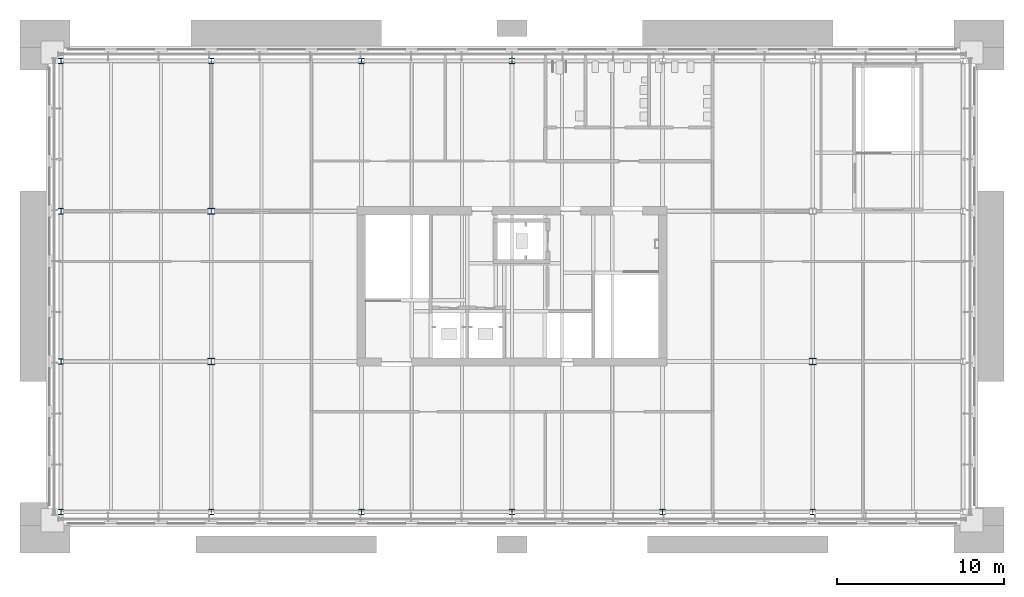
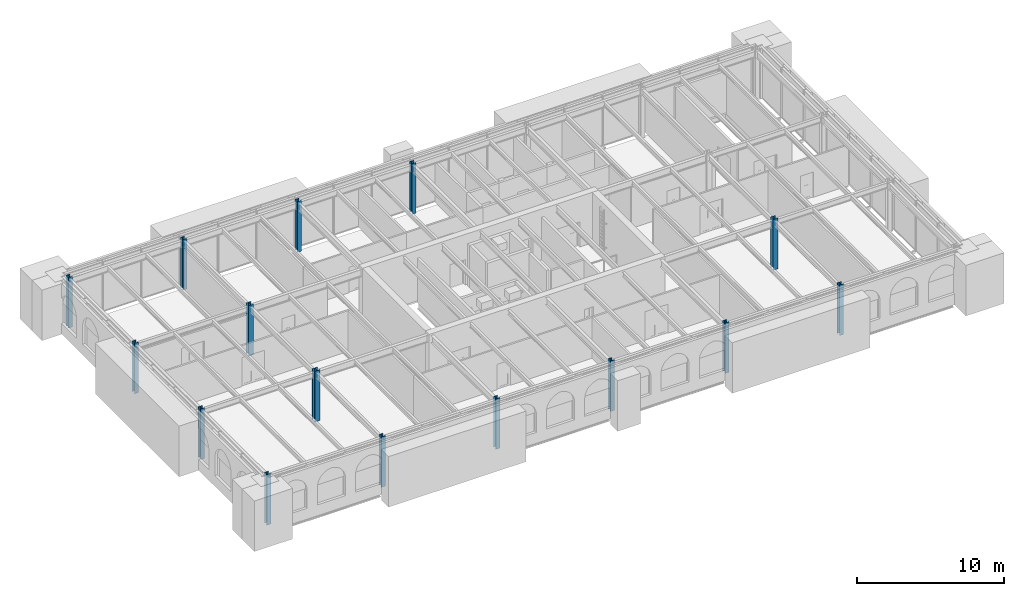
# One storey, part 1 of 24: 15 columns.
"""IFC4 building model written with IfcOpenShell, lengths in metres."""

from ifc_helpers import new_model, si_unit, direction, frame, origin, origin_2d, place, context, subcontext, project, spatial, i_section, extrude, material, material_profile, profile_set, type_object, element, save


model = new_model("IFC4")

# Units and contexts
model_context = context("Model", 3, precision=1e-05, world=origin(), true_north=direction((0.0, 1.0)))
body_context = subcontext(model_context, "Body", "Model", "MODEL_VIEW")
ifc_project = project(units=[si_unit("LENGTHUNIT", "METRE"), si_unit("AREAUNIT", "SQUARE_METRE"), si_unit("VOLUMEUNIT", "CUBIC_METRE"), si_unit("PLANEANGLEUNIT", "RADIAN"), si_unit("MASSUNIT", "GRAM", prefix="KILO")], contexts=[model_context])

# Site, building, storey
site_placement = place(None, origin())
site = spatial("IfcSite", under=ifc_project, at=site_placement, CompositionType="ELEMENT")
building_placement = place(site_placement, origin())
building = spatial("IfcBuilding", under=site, at=building_placement, Name="Baradari Gate Terminus", CompositionType="ELEMENT")
storey_placement = place(building_placement, frame((0.0, 0.0, 32.699951171875)))
storey = spatial("IfcBuildingStorey", under=building, at=storey_placement, Name="L07", CompositionType="ELEMENT", Elevation=32.699951171875)

# Columns
ifc_material_1 = material(Name="Steel S355", Category="steel")
ifc_material_profile_1 = material_profile(ifc_material_1, i_section(OverallWidth=0.394775390625, OverallDepth=0.381103515625, WebThickness=0.018310546875, FlangeThickness=0.0302734375, FilletRadius=0.01513671875, at=origin_2d()), Name="UC 356x406x235")
ifc_profile_set_1 = profile_set([ifc_material_profile_1], Name="Steel S355")
column_type_1 = type_object("IfcColumnType", Name="Operations block column C21 UC 356x406x235", PredefinedType="COLUMN", material=ifc_profile_set_1)
for number, where, z_axis, x_axis, name in (
    (1, (18.0, 126.0, 0.0), (0.0, 0.0, 1.0), (1.0, 0.0, 0.0), "C21 column 3-Q L07"),
    (2, (18.0, 135.0, 0.0), (0.0, 0.0, 1.0), (1.0, 0.0, 0.0), "C21 column 3-R L07"),
    (3, (54.0, 126.0, 0.0), (0.0, 0.0, 1.0), (1.0, 0.0, 0.0), "C21 column 7-Q L07"),
):
    element("IfcColumn", number, at=place(storey_placement, frame(where, z_axis=z_axis, x_axis=x_axis)), inside=storey, type_object=column_type_1, Name=name, PredefinedType="COLUMN", context=body_context, shape_type="SweptSolid", body=[
        extrude(i_section(OverallWidth=0.394775390625, OverallDepth=0.381103515625, WebThickness=0.018310546875, FlangeThickness=0.0302734375, FilletRadius=0.01513671875, at=origin_2d()), origin(), (0.0, 0.0, 1.0), 4.199951171875),
    ])
ifc_material_2 = material(Name="Steel S355", Category="steel")
ifc_material_profile_2 = material_profile(ifc_material_2, i_section(OverallWidth=0.314453125, OverallDepth=0.33984375, WebThickness=0.01904296875, FlangeThickness=0.031494140625, FilletRadius=0.01513671875, at=origin_2d()), Name="UC 305x305x198")
ifc_profile_set_2 = profile_set([ifc_material_profile_2], Name="Steel S355")
column_type_2 = type_object("IfcColumnType", Name="Operations block perimeter column C20 UC 305x305x198", PredefinedType="COLUMN", material=ifc_profile_set_2)
for number, where, z_axis, x_axis, name in (
    (4, (9.0, 117.0, 0.0), (0.0, 0.0, 1.0), (1.0, 0.0, 0.0), "C20 column 2-P L07"),
    (5, (9.0, 126.0, 0.0), (0.0, 0.0, 1.0), (1.0, 0.0, 0.0), "C20 column 2-Q L07"),
    (6, (9.0, 135.0, 0.0), (0.0, 0.0, 1.0), (1.0, 0.0, 0.0), "C20 column 2-R L07"),
    (7, (9.0, 144.0, 0.0), (0.0, 0.0, 1.0), (1.0, 0.0, 0.0), "C20 column 2-S L07"),
    (8, (18.0, 117.0, 0.0), (0.0, 0.0, 1.0), (1.0, 0.0, 0.0), "C20 column 3-P L07"),
    (9, (18.0, 144.0, 0.0), (0.0, 0.0, 1.0), (1.0, 0.0, 0.0), "C20 column 3-S L07"),
    (10, (27.0, 117.0, 0.0), (0.0, 0.0, 1.0), (1.0, 0.0, 0.0), "C20 column 4-P L07"),
    (11, (27.0, 144.0, 0.0), (0.0, 0.0, 1.0), (1.0, 0.0, 0.0), "C20 column 4-S L07"),
    (12, (36.0, 117.0, 0.0), (0.0, 0.0, 1.0), (1.0, 0.0, 0.0), "C20 column 5-P L07"),
    (13, (36.0, 144.0, 0.0), (0.0, 0.0, 1.0), (1.0, 0.0, 0.0), "C20 column 5-S L07"),
    (14, (45.0, 117.0, 0.0), (0.0, 0.0, 1.0), (1.0, 0.0, 0.0), "C20 column 6-P L07"),
    (15, (54.0, 117.0, 0.0), (0.0, 0.0, 1.0), (1.0, 0.0, 0.0), "C20 column 7-P L07"),
):
    element("IfcColumn", number, at=place(storey_placement, frame(where, z_axis=z_axis, x_axis=x_axis)), inside=storey, type_object=column_type_2, Name=name, PredefinedType="COLUMN", context=body_context, shape_type="SweptSolid", body=[
        extrude(i_section(OverallWidth=0.314453125, OverallDepth=0.33984375, WebThickness=0.01904296875, FlangeThickness=0.031494140625, FilletRadius=0.01513671875, at=origin_2d()), origin(), (0.0, 0.0, 1.0), 4.199951171875),
    ])

save(model, "model.ifc")
